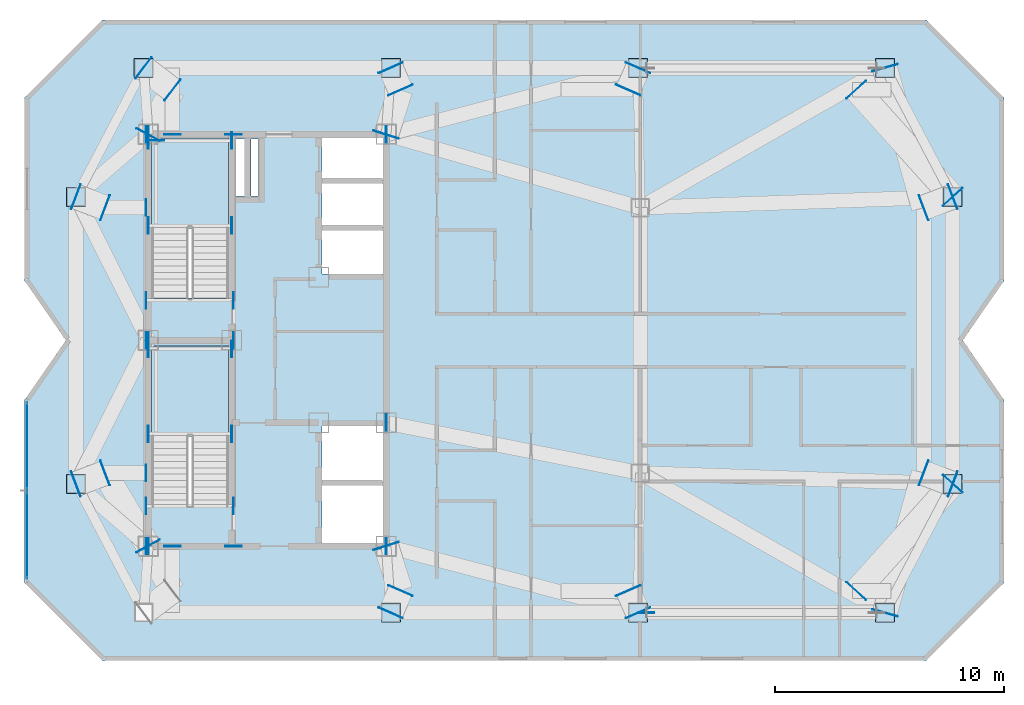
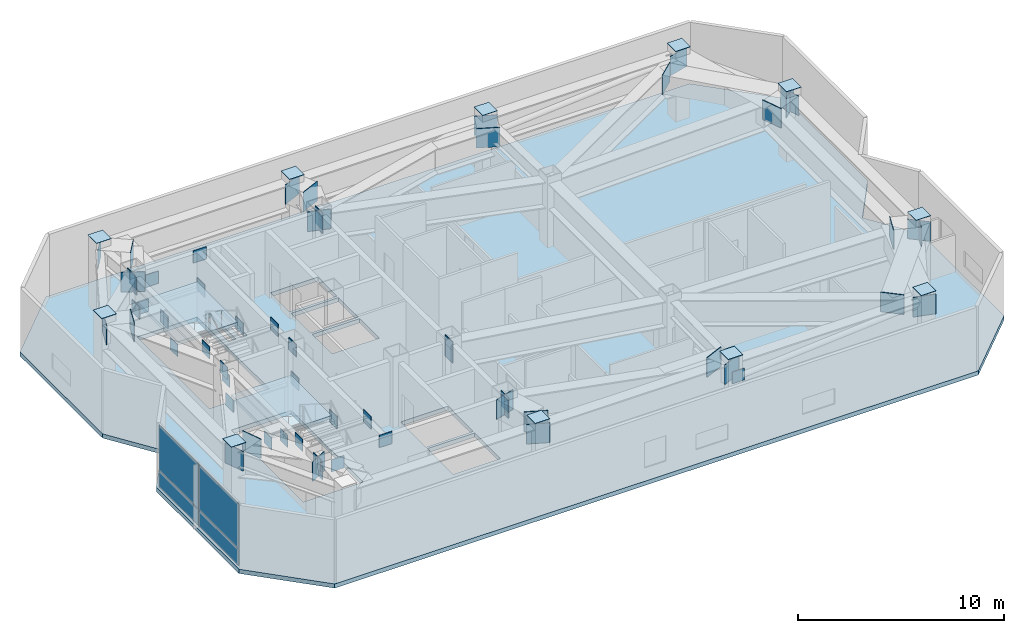
# One storey, part 4 of 9: 84 plates, 3 slabs, 3 elements without a shape of their own.
"""IFC4 building model written with IfcOpenShell, lengths in metres."""

from ifc_helpers import new_model, si_unit, direction, frame, origin, origin_2d, place, context, subcontext, project, spatial, polyline, rectangle, outline, extrude, material, layer, layer_set, type_object, element, aggregate, save


model = new_model("IFC4")

# Units and contexts
model_context = context("Model", 3, precision=1e-05, world=origin(), true_north=direction((0.0, 1.0)))
body_context = subcontext(model_context, "Body", "Model", "MODEL_VIEW")
ifc_project = project(units=[si_unit("LENGTHUNIT", "METRE"), si_unit("AREAUNIT", "SQUARE_METRE"), si_unit("VOLUMEUNIT", "CUBIC_METRE"), si_unit("PLANEANGLEUNIT", "RADIAN"), si_unit("MASSUNIT", "GRAM", prefix="KILO")], contexts=[model_context])

# Site, building, storey
site_placement = place(None, origin())
site = spatial("IfcSite", under=ifc_project, at=site_placement, CompositionType="ELEMENT")
building_placement = place(site_placement, origin())
building = spatial("IfcBuilding", under=site, at=building_placement, Name="Khamvora Tower", CompositionType="ELEMENT")
storey_placement = place(building_placement, frame((0.0, 0.0, 282.050048828125)))
storey = spatial("IfcBuildingStorey", under=building, at=storey_placement, Name="L72", CompositionType="ELEMENT", Elevation=282.050048828125)

# Curtain wall, plates
ifc_material_1 = material(Name="Anodised Aluminium 6063-T6", Category="aluminium")
curtain_wall_type = type_object("IfcCurtainWallType", Name="CW-SYS-06", PredefinedType="NOTDEFINED", material=ifc_material_1)
curtain_wall_placement = place(storey_placement, origin())
curtain_wall = element("IfcCurtainWall", 1, at=curtain_wall_placement, inside=storey, type_object=curtain_wall_type, Name="L72 stick curtain wall 02.1", PredefinedType="NOTDEFINED")
ifc_material_2 = material(Name="Low-E Laminated Double Glazing", Category="glass")
ifc_layer_1 = layer(ifc_material_2, 0.0380859375)
ifc_layer_set_1 = layer_set([ifc_layer_1], Name="Low-E Laminated Double Glazing")
plate_type_1 = type_object("IfcPlateType", Name="CW-SYS-06-PNL", PredefinedType="CURTAIN_PANEL", material=ifc_layer_set_1)
plate_1_placement = place(storey_placement, frame((23.699951171875, 19.490234375, 0.080078125), z_axis=(0.0, 0.0, 1.0), x_axis=(0.0, 1.0, 0.0)))
plate_1 = element("IfcPlate", 2, at=plate_1_placement, type_object=plate_type_1, Name="CW-06 panel 1.1", PredefinedType="CURTAIN_PANEL", context=body_context, shape_type="SweptSolid", body=[
    extrude(rectangle(XDim=3.8125, YDim=0.0380859375, at=origin_2d()), origin(), (0.0, 0.0, 1.0), 0.929931640625),
])
plate_2_placement = place(storey_placement, frame((23.699951171875, 19.490234375, 1.08984375), z_axis=(0.0, 0.0, 1.0), x_axis=(0.0, 1.0, 0.0)))
plate_2 = element("IfcPlate", 3, at=plate_2_placement, type_object=plate_type_1, Name="CW-06 panel 1.2", PredefinedType="CURTAIN_PANEL", context=body_context, shape_type="SweptSolid", body=[
    extrude(rectangle(XDim=3.8125, YDim=0.0380859375, at=origin_2d()), origin(), (0.0, 0.0, 1.0), 2.610107421875),
])
plate_3_placement = place(storey_placement, frame((23.699951171875, 23.3828125, 0.080078125), z_axis=(0.0, 0.0, 1.0), x_axis=(0.0, 1.0, 0.0)))
plate_3 = element("IfcPlate", 4, at=plate_3_placement, type_object=plate_type_1, Name="CW-06 panel 2.1", PredefinedType="CURTAIN_PANEL", context=body_context, shape_type="SweptSolid", body=[
    extrude(rectangle(XDim=3.8125, YDim=0.0380859375, at=origin_2d()), origin(), (0.0, 0.0, 1.0), 0.929931640625),
])
plate_4_placement = place(storey_placement, frame((23.699951171875, 23.3828125, 1.08984375), z_axis=(0.0, 0.0, 1.0), x_axis=(0.0, 1.0, 0.0)))
plate_4 = element("IfcPlate", 5, at=plate_4_placement, type_object=plate_type_1, Name="CW-06 panel 2.2", PredefinedType="CURTAIN_PANEL", context=body_context, shape_type="SweptSolid", body=[
    extrude(rectangle(XDim=3.8125, YDim=0.0380859375, at=origin_2d()), origin(), (0.0, 0.0, 1.0), 2.610107421875),
])
aggregate(curtain_wall, [plate_1, plate_2, plate_3, plate_4])

# Plates
ifc_material_3 = material(Name="Steel S355", Category="steel")
ifc_layer_2 = layer(ifc_material_3, 0.02490234375)
ifc_layer_set_2 = layer_set([ifc_layer_2], Name="Steel S355")
plate_type_2 = type_object("IfcPlateType", Name="PL-CAP-25", PredefinedType="SHEET", material=ifc_layer_set_2)
for number, where, z_axis, x_axis, name in (
    (6, (39.60009765625, 16.10009765625, 4.175537109375), (0.0, 0.0, 1.0), (1.0, 0.0, 0.0), "L72 hollow section steel end cap plate 0289"),
    (7, (50.39990234375, 16.10009765625, 4.175537109375), (0.0, 0.0, 1.0), (1.0, 0.0, 0.0), "L72 hollow section steel end cap plate 0291"),
    (8, (61.199951171875, 16.10009765625, 4.175537109375), (0.0, 0.0, 1.0), (1.0, 0.0, 0.0), "L72 hollow section steel end cap plate 0293"),
    (9, (28.800048828125, 39.89990234375, 4.175537109375), (0.0, 0.0, 1.0), (1.0, 0.0, 0.0), "L72 hollow section steel end cap plate 0295"),
    (10, (39.60009765625, 39.89990234375, 4.175537109375), (0.0, 0.0, 1.0), (1.0, 0.0, 0.0), "L72 hollow section steel end cap plate 0297"),
    (11, (50.39990234375, 39.89990234375, 4.175537109375), (0.0, 0.0, 1.0), (1.0, 0.0, 0.0), "L72 hollow section steel end cap plate 0299"),
    (12, (61.199951171875, 39.89990234375, 4.175537109375), (0.0, 0.0, 1.0), (1.0, 0.0, 0.0), "L72 hollow section steel end cap plate 0301"),
    (13, (25.85009765625, 21.72998046875, 4.175537109375), (0.0, 0.0, 1.0), (1.0, 0.0, 0.0), "L72 hollow section steel end cap plate 0303"),
    (14, (25.85009765625, 34.27001953125, 4.175537109375), (0.0, 0.0, 1.0), (1.0, 0.0, 0.0), "L72 hollow section steel end cap plate 0305"),
    (15, (64.14990234375, 21.72998046875, 4.175537109375), (0.0, 0.0, 1.0), (1.0, 0.0, 0.0), "L72 hollow section steel end cap plate 0307"),
    (16, (64.14990234375, 34.27001953125, 4.175537109375), (0.0, 0.0, 1.0), (1.0, 0.0, 0.0), "L72 hollow section steel end cap plate 0309"),
):
    element("IfcPlate", number, at=place(storey_placement, frame(where, z_axis=z_axis, x_axis=x_axis)), inside=storey, type_object=plate_type_2, Name=name, PredefinedType="SHEET", context=body_context, shape_type="SweptSolid", body=[
        extrude(rectangle(XDim=0.830078125, YDim=0.830078125, at=origin_2d()), origin(), (0.0, 0.0, 1.0), 0.02490234375),
    ])
for number, where, z_axis, x_axis, name in (
    (17, (28.993896484375, 19.010986328125, 2.64990234375), (0.0, 0.0, 1.0), (0.474103576204, -0.880469078975, 0.0), "L72 hollow section steel end cap plate 1245"),
    (18, (39.594970703125, 16.089111328125, 2.64990234375), (0.0, 0.0, 1.0), (0.401931795268, 0.915669608512, 0.0), "L72 hollow section steel end cap plate 1246"),
    (19, (40.02197265625, 17.06103515625, 2.64990234375), (0.0, 0.0, 1.0), (0.401931795268, 0.915669608512, 0.0), "L72 hollow section steel end cap plate 1247"),
    (20, (39.39599609375, 19.011962890625, 2.64990234375), (0.0, 0.0, 1.0), (0.301671084321, -0.953412060383, 0.0), "L72 hollow section steel end cap plate 1248"),
    (21, (50.405029296875, 16.089111328125, 2.64990234375), (0.0, 0.0, 1.0), (-0.401931795268, 0.915669608512, 0.0), "L72 hollow section steel end cap plate 1249"),
    (22, (49.97802734375, 17.06103515625, 2.64990234375), (0.0, 0.0, 1.0), (-0.401931795268, 0.915669608512, 0.0), "L72 hollow section steel end cap plate 1250"),
    (23, (64.157958984375, 21.73388671875, 2.64990234375), (0.0, 0.0, 1.0), (-0.668300088353, -0.743891787768, 0.0), "L72 hollow section steel end cap plate 1251"),
    (24, (59.94189453125, 17.041015625, 2.64990234375), (0.0, 0.0, 1.0), (-0.668300088353, -0.743891787768, 0.0), "L72 hollow section steel end cap plate 1252"),
    (25, (28.7900390625, 39.907958984375, 2.64990234375), (0.0, 0.0, 1.0), (0.79616044085, -0.605085574465, 0.0), "L72 hollow section steel end cap plate 1253"),
    (26, (30.06005859375, 38.94189453125, 2.64990234375), (0.0, 0.0, 1.0), (0.79616044085, -0.605085574465, 0.0), "L72 hollow section steel end cap plate 1254"),
    (27, (28.993896484375, 36.989013671875, 2.64990234375), (0.0, 0.0, 1.0), (0.474103576204, 0.880469078975, 0.0), "L72 hollow section steel end cap plate 1255"),
    (28, (39.594970703125, 39.910888671875, 2.64990234375), (0.0, 0.0, 1.0), (0.401931795268, -0.915669608512, 0.0), "L72 hollow section steel end cap plate 1256"),
    (29, (40.02197265625, 38.93896484375, 2.64990234375), (0.0, 0.0, 1.0), (0.401931795268, -0.915669608512, 0.0), "L72 hollow section steel end cap plate 1257"),
    (30, (39.39599609375, 36.988037109375, 2.64990234375), (0.0, 0.0, 1.0), (0.301671084321, 0.953412060383, 0.0), "L72 hollow section steel end cap plate 1258"),
    (31, (50.405029296875, 39.910888671875, 2.64990234375), (0.0, 0.0, 1.0), (-0.401931795268, -0.915669608512, 0.0), "L72 hollow section steel end cap plate 1259"),
    (32, (49.97802734375, 38.93896484375, 2.64990234375), (0.0, 0.0, 1.0), (-0.401931795268, -0.915669608512, 0.0), "L72 hollow section steel end cap plate 1260"),
    (33, (64.157958984375, 34.26611328125, 2.64990234375), (0.0, 0.0, 1.0), (-0.668300088353, 0.743891787768, 0.0), "L72 hollow section steel end cap plate 1261"),
    (34, (59.94189453125, 38.958984375, 2.64990234375), (0.0, 0.0, 1.0), (-0.668300088353, 0.743891787768, 0.0), "L72 hollow section steel end cap plate 1262"),
    (35, (25.837890625, 21.720947265625, 2.64990234375), (0.0, 0.0, 1.0), (0.93478228492, 0.35522117026, 0.0), "L72 hollow section steel end cap plate 1263"),
    (36, (27.112060546875, 22.2041015625, 2.64990234375), (0.0, 0.0, 1.0), (0.93478228492, 0.35522117026, 0.0), "L72 hollow section steel end cap plate 1264"),
    (37, (25.837890625, 34.279052734375, 2.64990234375), (0.0, 0.0, 1.0), (0.93478228492, -0.35522117026, 0.0), "L72 hollow section steel end cap plate 1265"),
    (38, (27.112060546875, 33.7958984375, 2.64990234375), (0.0, 0.0, 1.0), (0.93478228492, -0.35522117026, 0.0), "L72 hollow section steel end cap plate 1266"),
    (39, (64.162109375, 21.720947265625, 2.64990234375), (0.0, 0.0, 1.0), (-0.93478228492, 0.35522117026, 0.0), "L72 hollow section steel end cap plate 1267"),
    (40, (62.887939453125, 22.2041015625, 2.64990234375), (0.0, 0.0, 1.0), (-0.93478228492, 0.35522117026, 0.0), "L72 hollow section steel end cap plate 1268"),
    (41, (61.197021484375, 16.087890625, 2.64990234375), (0.0, 0.0, 1.0), (0.268465911106, 0.96328918533, 0.0), "L72 hollow section steel end cap plate 1269"),
    (42, (64.162109375, 34.279052734375, 2.64990234375), (0.0, 0.0, 1.0), (-0.93478228492, -0.35522117026, 0.0), "L72 hollow section steel end cap plate 1270"),
    (43, (62.887939453125, 33.7958984375, 2.64990234375), (0.0, 0.0, 1.0), (-0.93478228492, -0.35522117026, 0.0), "L72 hollow section steel end cap plate 1271"),
    (44, (61.197021484375, 39.912109375, 2.64990234375), (0.0, 0.0, 1.0), (0.268465911106, -0.96328918533, 0.0), "L72 hollow section steel end cap plate 1272"),
):
    element("IfcPlate", number, at=place(storey_placement, frame(where, z_axis=z_axis, x_axis=x_axis)), inside=storey, type_object=plate_type_2, Name=name, PredefinedType="SHEET", context=body_context, shape_type="SweptSolid", body=[
        extrude(rectangle(XDim=0.02490234375, YDim=1.159912109375, at=origin_2d()), origin(), (0.0, 0.0, 1.0), 1.159912109375),
    ])
ifc_material_4 = material(Name="Steel S460", Category="steel")
ifc_layer_3 = layer(ifc_material_4, 0.034912109375)
ifc_layer_set_3 = layer_set([ifc_layer_3], Name="Steel S460")
plate_type_3 = type_object("IfcPlateType", Name="PL-EMB-35", PredefinedType="SHEET", material=ifc_layer_set_3)
for number, where, z_axis, x_axis, name in (
    (45, (29.0, 23.9150390625, 1.4091796875), (0.0, 0.0, 1.0), (1.0, 0.0, 0.0), "L72 core shear wall cast-in embed plate 2097"),
    (46, (32.64990234375, 23.9150390625, 1.4091796875), (0.0, 0.0, 1.0), (1.0, 0.0, 0.0), "L72 core shear wall cast-in embed plate 2098"),
    (47, (29.0, 27.6298828125, 1.4091796875), (0.0, 0.0, 1.0), (1.0, 0.0, 0.0), "L72 core shear wall cast-in embed plate 2099"),
    (48, (32.64990234375, 27.6298828125, 1.4091796875), (0.0, 0.0, 1.0), (1.0, 0.0, 0.0), "L72 core shear wall cast-in embed plate 2100"),
    (49, (29.0, 33.014892578125, 1.4091796875), (0.0, 0.0, 1.0), (1.0, 0.0, 0.0), "L72 core shear wall cast-in embed plate 2101"),
    (50, (32.64990234375, 33.014892578125, 1.4091796875), (0.0, 0.0, 1.0), (1.0, 0.0, 0.0), "L72 core shear wall cast-in embed plate 2102"),
    (51, (29.0, 36.72998046875, 1.4091796875), (0.0, 0.0, 1.0), (1.0, 0.0, 0.0), "L72 core shear wall cast-in embed plate 2103"),
    (52, (32.64990234375, 36.72998046875, 1.4091796875), (0.0, 0.0, 1.0), (1.0, 0.0, 0.0), "L72 core shear wall cast-in embed plate 2104"),
):
    element("IfcPlate", number, at=place(storey_placement, frame(where, z_axis=z_axis, x_axis=x_axis)), inside=storey, type_object=plate_type_3, Name=name, PredefinedType="SHEET", context=body_context, shape_type="SweptSolid", body=[
        extrude(rectangle(XDim=0.034912109375, YDim=0.719970703125, at=origin_2d()), origin(), (0.0, 0.0, 1.0), 0.719970703125),
    ])
plate_5_placement = place(storey_placement, frame((29.35009765625, 36.72998046875, 1.4091796875), z_axis=(0.0, 0.0, 1.0), x_axis=(1.0, 0.0, 0.0)))
element("IfcPlate", 53, at=plate_5_placement, inside=storey, type_object=plate_type_3, Name="L72 core shear wall cast-in embed plate 2105", PredefinedType="SHEET", context=body_context, shape_type="SweptSolid", body=[
    extrude(rectangle(XDim=0.719970703125, YDim=0.034912109375, at=origin_2d()), origin(), (0.0, 0.0, 1.0), 0.719970703125),
])
for number, where, z_axis, x_axis, name in (
    (54, (29.0, 19.0, 2.953125), (0.0, 0.0, 1.0), (1.0, 0.0, 0.0), "L72 core shear wall cast-in embed plate 2106"),
    (55, (39.39990234375, 19.0, 2.953125), (0.0, 0.0, 1.0), (1.0, 0.0, 0.0), "L72 core shear wall cast-in embed plate 2107"),
    (56, (29.0, 37.0, 2.953125), (0.0, 0.0, 1.0), (1.0, 0.0, 0.0), "L72 core shear wall cast-in embed plate 2108"),
    (57, (39.39990234375, 37.0, 2.953125), (0.0, 0.0, 1.0), (1.0, 0.0, 0.0), "L72 core shear wall cast-in embed plate 2109"),
    (58, (29.0, 28.0, 2.64501953125), (0.0, 0.0, 1.0), (1.0, 0.0, 0.0), "L72 core shear wall cast-in embed plate 2110"),
    (59, (39.39990234375, 24.39990234375, 2.64501953125), (0.0, 0.0, 1.0), (1.0, 0.0, 0.0), "L72 core shear wall cast-in embed plate 2111"),
    (60, (39.39990234375, 37.0, 2.64501953125), (0.0, 0.0, 1.0), (1.0, 0.0, 0.0), "L72 core shear wall cast-in embed plate 2112"),
    (61, (28.89990234375, 19.0, 3.15283203125), (0.0, 0.0, 1.0), (1.0, 0.0, 0.0), "L72 core shear wall cast-in embed plate 2113"),
    (62, (28.89990234375, 28.0, 3.15283203125), (0.0, 0.0, 1.0), (1.0, 0.0, 0.0), "L72 core shear wall cast-in embed plate 2114"),
    (63, (28.89990234375, 37.0, 3.15283203125), (0.0, 0.0, 1.0), (1.0, 0.0, 0.0), "L72 core shear wall cast-in embed plate 2115"),
):
    element("IfcPlate", number, at=place(storey_placement, frame(where, z_axis=z_axis, x_axis=x_axis)), inside=storey, type_object=plate_type_3, Name=name, PredefinedType="SHEET", context=body_context, shape_type="SweptSolid", body=[
        extrude(rectangle(XDim=0.034912109375, YDim=0.719970703125, at=origin_2d()), origin(), (0.0, 0.0, 1.0), 0.719970703125),
    ])
plate_6_placement = place(storey_placement, frame((32.72998046875, 19.0, 3.15283203125), z_axis=(0.0, 0.0, 1.0), x_axis=(1.0, 0.0, 0.0)))
element("IfcPlate", 64, at=plate_6_placement, inside=storey, type_object=plate_type_3, Name="L72 core shear wall cast-in embed plate 2116", PredefinedType="SHEET", context=body_context, shape_type="SweptSolid", body=[
    extrude(rectangle(XDim=0.719970703125, YDim=0.034912109375, at=origin_2d()), origin(), (0.0, 0.0, 1.0), 0.719970703125),
])
plate_7_placement = place(storey_placement, frame((32.72998046875, 28.0, 3.15283203125), z_axis=(0.0, 0.0, 1.0), x_axis=(1.0, 0.0, 0.0)))
element("IfcPlate", 65, at=plate_7_placement, inside=storey, type_object=plate_type_3, Name="L72 core shear wall cast-in embed plate 2117", PredefinedType="SHEET", context=body_context, shape_type="SweptSolid", body=[
    extrude(rectangle(XDim=0.034912109375, YDim=0.719970703125, at=origin_2d()), origin(), (0.0, 0.0, 1.0), 0.719970703125),
])
plate_8_placement = place(storey_placement, frame((32.72998046875, 37.0, 3.15283203125), z_axis=(0.0, 0.0, 1.0), x_axis=(1.0, 0.0, 0.0)))
element("IfcPlate", 66, at=plate_8_placement, inside=storey, type_object=plate_type_3, Name="L72 core shear wall cast-in embed plate 2118", PredefinedType="SHEET", context=body_context, shape_type="SweptSolid", body=[
    extrude(rectangle(XDim=0.719970703125, YDim=0.034912109375, at=origin_2d()), origin(), (0.0, 0.0, 1.0), 0.719970703125),
])
for number, where, z_axis, x_axis, name in (
    (67, (39.39990234375, 19.0, 3.15283203125), (0.0, 0.0, 1.0), (1.0, 0.0, 0.0), "L72 core shear wall cast-in embed plate 2119"),
    (68, (39.39990234375, 24.39990234375, 3.15283203125), (0.0, 0.0, 1.0), (1.0, 0.0, 0.0), "L72 core shear wall cast-in embed plate 2120"),
    (69, (39.39990234375, 37.0, 3.15283203125), (0.0, 0.0, 1.0), (1.0, 0.0, 0.0), "L72 core shear wall cast-in embed plate 2121"),
    (70, (28.89990234375, 20.75, 3.2939453125), (0.0, 0.0, 1.0), (1.0, 0.0, 0.0), "L72 core shear wall cast-in embed plate 2122"),
    (71, (32.72998046875, 20.75, 3.2939453125), (0.0, 0.0, 1.0), (1.0, 0.0, 0.0), "L72 core shear wall cast-in embed plate 2123"),
    (72, (28.89990234375, 29.75, 3.2939453125), (0.0, 0.0, 1.0), (1.0, 0.0, 0.0), "L72 core shear wall cast-in embed plate 2124"),
    (73, (32.72998046875, 29.75, 3.2939453125), (0.0, 0.0, 1.0), (1.0, 0.0, 0.0), "L72 core shear wall cast-in embed plate 2125"),
    (74, (29.0, 19.0, 2.64501953125), (0.0, 0.0, 1.0), (1.0, 0.0, 0.0), "L72 core shear wall cast-in embed plate 2126"),
    (75, (29.0, 37.0, 2.64501953125), (0.0, 0.0, 1.0), (1.0, 0.0, 0.0), "L72 core shear wall cast-in embed plate 2127"),
    (76, (39.39990234375, 19.0, 2.64501953125), (0.0, 0.0, 1.0), (1.0, 0.0, 0.0), "L72 core shear wall cast-in embed plate 2128"),
):
    element("IfcPlate", number, at=place(storey_placement, frame(where, z_axis=z_axis, x_axis=x_axis)), inside=storey, type_object=plate_type_3, Name=name, PredefinedType="SHEET", context=body_context, shape_type="SweptSolid", body=[
        extrude(rectangle(XDim=0.034912109375, YDim=0.719970703125, at=origin_2d()), origin(), (0.0, 0.0, 1.0), 0.719970703125),
    ])
for number, where, z_axis, x_axis, name in (
    (77, (30.050048828125, 19.0, 2.64501953125), (0.0, 0.0, 1.0), (1.0, 0.0, 0.0), "L72 core shear wall cast-in embed plate 2129"),
    (78, (30.050048828125, 37.0, 2.64501953125), (0.0, 0.0, 1.0), (1.0, 0.0, 0.0), "L72 core shear wall cast-in embed plate 2130"),
):
    element("IfcPlate", number, at=place(storey_placement, frame(where, z_axis=z_axis, x_axis=x_axis)), inside=storey, type_object=plate_type_3, Name=name, PredefinedType="SHEET", context=body_context, shape_type="SweptSolid", body=[
        extrude(rectangle(XDim=0.719970703125, YDim=0.034912109375, at=origin_2d()), origin(), (0.0, 0.0, 1.0), 0.719970703125),
    ])
for number, where, z_axis, x_axis, name in (
    (79, (28.89990234375, 22.199951171875, 2.64501953125), (0.0, 0.0, 1.0), (1.0, 0.0, 0.0), "L72 core shear wall cast-in embed plate 2131"),
    (80, (28.89990234375, 33.800048828125, 2.64501953125), (0.0, 0.0, 1.0), (1.0, 0.0, 0.0), "L72 core shear wall cast-in embed plate 2132"),
    (81, (29.0, 19.0, 2.8701171875), (0.0, 0.0, 1.0), (1.0, 0.0, 0.0), "L72 core shear wall cast-in embed plate 2133"),
    (82, (39.39990234375, 19.0, 2.8701171875), (0.0, 0.0, 1.0), (1.0, 0.0, 0.0), "L72 core shear wall cast-in embed plate 2134"),
    (83, (29.0, 37.0, 2.8701171875), (0.0, 0.0, 1.0), (1.0, 0.0, 0.0), "L72 core shear wall cast-in embed plate 2135"),
    (84, (39.39990234375, 37.0, 2.8701171875), (0.0, 0.0, 1.0), (1.0, 0.0, 0.0), "L72 core shear wall cast-in embed plate 2136"),
):
    element("IfcPlate", number, at=place(storey_placement, frame(where, z_axis=z_axis, x_axis=x_axis)), inside=storey, type_object=plate_type_3, Name=name, PredefinedType="SHEET", context=body_context, shape_type="SweptSolid", body=[
        extrude(rectangle(XDim=0.034912109375, YDim=0.719970703125, at=origin_2d()), origin(), (0.0, 0.0, 1.0), 0.719970703125),
    ])
ifc_layer_4 = layer(ifc_material_4, 0.0400390625)
ifc_layer_set_4 = layer_set([ifc_layer_4], Name="Steel S460")
plate_type_4 = type_object("IfcPlateType", Name="PLT-GUS-40", PredefinedType="SHEET", material=ifc_layer_set_4)
plate_9_placement = place(storey_placement, frame((50.779052734375, 16.10009765625, 2.369140625), z_axis=(0.0, 0.0, 1.0), x_axis=(1.0, 0.0, 0.0)))
element("IfcPlate", 85, at=plate_9_placement, inside=storey, type_object=plate_type_4, Name="L72 brace connection node gusset plate 0445", PredefinedType="SHEET", context=body_context, shape_type="SweptSolid", body=[
    extrude(rectangle(XDim=0.679931640625, YDim=0.0400390625, at=origin_2d()), origin(), (0.0, 0.0, 1.0), 0.679931640625),
])

# Slab
ifc_material_5 = material(Name="Concrete C35/45", Category="concrete")
ifc_layer_5 = layer(ifc_material_5, 0.25)
ifc_layer_set_5 = layer_set([ifc_layer_5], Name="Concrete C35/45")
slab_type_1 = type_object("IfcSlabType", Name="SLB-CRN-250", PredefinedType="FLOOR", material=ifc_layer_set_5)
slab_1_placement = place(storey_placement, frame((0.0, 0.0, -0.25)))
element("IfcSlab", 86, at=slab_1_placement, inside=storey, type_object=slab_type_1, Name="L72 structural floor slab", PredefinedType="FLOOR", context=body_context, shape_type="SweptSolid", body=[
    extrude(outline(polyline([(27.0, 14.0), (63.0, 14.0), (66.39990234375, 17.39990234375), (66.39990234375, 25.39990234375), (64.60009765625, 28.0), (66.39990234375, 30.60009765625), (66.39990234375, 38.60009765625), (63.0, 42.0), (27.0, 42.0), (23.60009765625, 38.60009765625), (23.60009765625, 30.60009765625), (25.39990234375, 28.0), (23.60009765625, 25.39990234375), (23.60009765625, 17.39990234375), (27.0, 14.0)]), holes=[polyline([(32.5, 20.760009765625), (32.5, 27.75), (29.14990234375, 27.75), (29.14990234375, 20.760009765625), (32.5, 20.760009765625)]), polyline([(32.5, 29.860107421875), (32.5, 36.85009765625), (29.14990234375, 36.85009765625), (29.14990234375, 29.860107421875), (32.5, 29.860107421875)]), polyline([(36.60009765625, 19.14990234375), (39.25, 19.14990234375), (39.25, 21.64990234375), (36.60009765625, 21.64990234375), (36.60009765625, 19.14990234375)]), polyline([(36.60009765625, 21.800048828125), (39.25, 21.800048828125), (39.25, 24.25), (36.60009765625, 24.25), (36.60009765625, 21.800048828125)]), polyline([(36.60009765625, 30.89990234375), (39.25, 30.89990234375), (39.25, 32.800048828125), (36.60009765625, 32.800048828125), (36.60009765625, 30.89990234375)]), polyline([(36.60009765625, 32.949951171875), (39.25, 32.949951171875), (39.25, 34.85009765625), (36.60009765625, 34.85009765625), (36.60009765625, 32.949951171875)]), polyline([(36.60009765625, 35.0), (39.25, 35.0), (39.25, 36.85009765625), (36.60009765625, 36.85009765625), (36.60009765625, 35.0)]), polyline([(32.800048828125, 34.300048828125), (33.199951171875, 34.300048828125), (33.199951171875, 36.800048828125), (32.800048828125, 36.800048828125), (32.800048828125, 34.300048828125)]), polyline([(33.47998046875, 34.300048828125), (33.820068359375, 34.300048828125), (33.820068359375, 36.800048828125), (33.47998046875, 36.800048828125), (33.47998046875, 34.300048828125)])]), origin(), (0.0, 0.0, 1.0), 0.25),
])

# Stair, slab
ifc_material_6 = material(Name="Concrete C40/50", Category="concrete")
stair_type_1 = type_object("IfcStairType", Name="STR-ST-01", PredefinedType="HALF_TURN_STAIR", material=ifc_material_6)
stair_1_placement = place(storey_placement, origin())
stair_1 = element("IfcStair", 87, at=stair_1_placement, inside=storey, type_object=stair_type_1, Name="L72 South Tower Exit Stair ST-01", PredefinedType="HALF_TURN_STAIR")
ifc_layer_6 = layer(ifc_material_6, 0.199951171875)
ifc_layer_set_6 = layer_set([ifc_layer_6], Name="Concrete C40/50")
slab_type_2 = type_object("IfcSlabType", Name="SLB-LND-200", PredefinedType="LANDING", material=ifc_layer_set_6)
slab_2_placement = place(storey_placement, frame((0.0, 0.0, 1.89990234375)))
slab_2 = element("IfcSlab", 88, at=slab_2_placement, type_object=slab_type_2, Name="ST-01 landing 1", PredefinedType="LANDING", context=body_context, shape_type="SweptSolid", body=[
    extrude(outline(polyline([(32.5, 23.794921875), (32.5, 27.75), (29.14990234375, 27.75), (29.14990234375, 23.794921875), (32.5, 23.794921875)])), origin(), (0.0, 0.0, 1.0), 0.199951171875),
])
aggregate(stair_1, [slab_2])

stair_type_2 = type_object("IfcStairType", Name="STR-ST-02", PredefinedType="HALF_TURN_STAIR", material=ifc_material_6)
stair_2_placement = place(storey_placement, origin())
stair_2 = element("IfcStair", 89, at=stair_2_placement, inside=storey, type_object=stair_type_2, Name="L72 North Tower Exit Stair ST-02", PredefinedType="HALF_TURN_STAIR")
slab_3_placement = place(storey_placement, frame((0.0, 0.0, 1.89990234375)))
slab_3 = element("IfcSlab", 90, at=slab_3_placement, type_object=slab_type_2, Name="ST-02 landing 1", PredefinedType="LANDING", context=body_context, shape_type="SweptSolid", body=[
    extrude(outline(polyline([(32.5, 32.89501953125), (32.5, 36.85009765625), (29.14990234375, 36.85009765625), (29.14990234375, 32.89501953125), (32.5, 32.89501953125)])), origin(), (0.0, 0.0, 1.0), 0.199951171875),
])
aggregate(stair_2, [slab_3])

save(model, "model.ifc")
